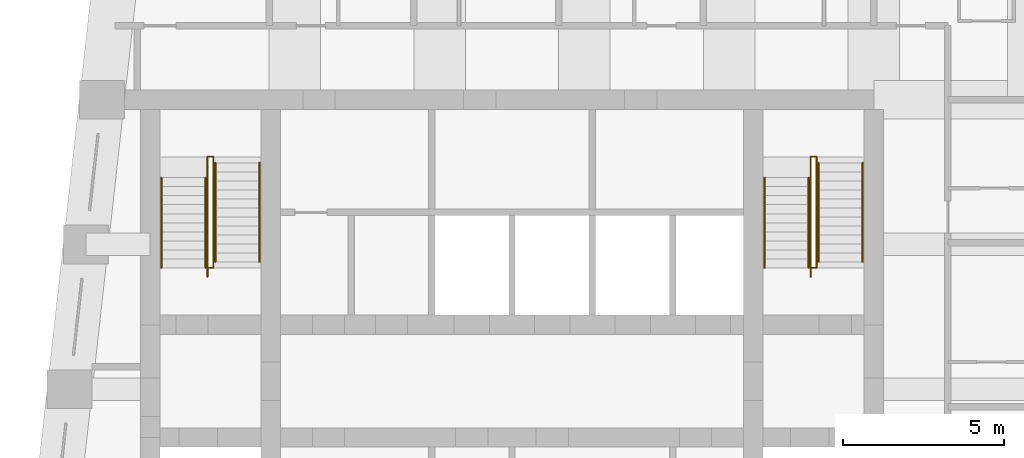
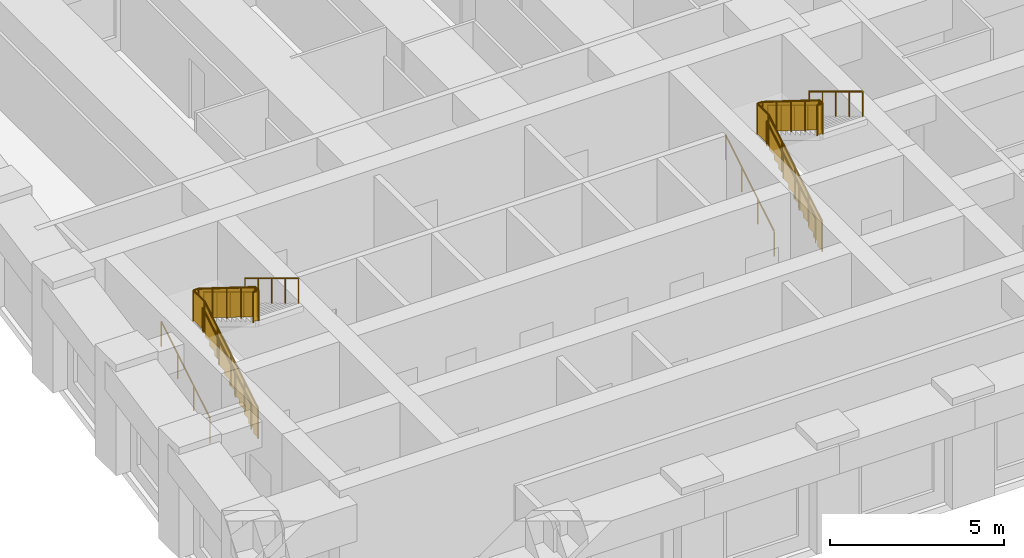
# One storey, part 7 of 7: 12 railings.
"""IFC4 building model written with IfcOpenShell, lengths in metres."""

from ifc_helpers import new_model, si_unit, direction, frame, origin, origin_2d, place, context, subcontext, project, spatial, polyline, circle, outline, extrude, material, type_object, element, save


model = new_model("IFC4")

# Units and contexts
model_context = context("Model", 3, precision=1e-05, world=origin(), true_north=direction((0.0, 1.0)))
body_context = subcontext(model_context, "Body", "Model", "MODEL_VIEW")
ifc_project = project(units=[si_unit("LENGTHUNIT", "METRE"), si_unit("AREAUNIT", "SQUARE_METRE"), si_unit("VOLUMEUNIT", "CUBIC_METRE"), si_unit("PLANEANGLEUNIT", "RADIAN"), si_unit("MASSUNIT", "GRAM", prefix="KILO")], contexts=[model_context])

# Site, building, storey
site_placement = place(None, origin())
site = spatial("IfcSite", under=ifc_project, at=site_placement, CompositionType="ELEMENT")
building_placement = place(site_placement, origin())
building = spatial("IfcBuilding", under=site, at=building_placement, Name="Kilele Tower Hotel", CompositionType="ELEMENT")
storey_placement = place(building_placement, frame((0.0, 0.0, 262.39990234375)))
storey = spatial("IfcBuildingStorey", under=building, at=storey_placement, Name="L67", CompositionType="ELEMENT", Elevation=262.39990234375)

# Railings
ifc_material_1 = material(Name="Steel handrail", Category="steel")
railing_type_1 = type_object("IfcRailingType", Name="Handrail 900", PredefinedType="HANDRAIL", material=ifc_material_1)
for number, where, name in (
    (1, (13.85009765625, 21.77490234375, 0.169677734375), "Handrail ST1 flight 1"),
    (2, (15.22509765625, 21.77490234375, 0.169677734375), "Handrail ST1 flight 1"),
):
    element("IfcRailing", number, at=place(storey_placement, frame(where)), inside=storey, type_object=railing_type_1, Name=name, PredefinedType="HANDRAIL", context=body_context, shape_type="SweptSolid", body=[
        extrude(circle(Radius=0.02490234375, at=origin_2d()), frame((0.0, 0.0, 0.875), z_axis=(0.0, 0.855393119324, 0.517979354234), x_axis=(-1.0, 0.0, 0.0)), (0.0, 0.0, 1.0), 3.2734375),
        extrude(circle(Radius=0.02001953125, at=origin_2d()), origin(), (0.0, 0.0, 1.0), 0.849853515625),
        extrude(circle(Radius=0.02001953125, at=origin_2d()), frame((0.0, 0.933349609375, 0.565185546875)), (0.0, 0.0, 1.0), 0.849853515625),
        extrude(circle(Radius=0.02001953125, at=origin_2d()), frame((0.0, 1.86669921875, 1.13037109375)), (0.0, 0.0, 1.0), 0.849853515625),
        extrude(circle(Radius=0.02001953125, at=origin_2d()), frame((0.0, 2.800048828125, 1.695556640625)), (0.0, 0.0, 1.0), 0.849853515625),
    ])
for number, where, name in (
    (3, (15.52490234375, 25.0400390625, 2.034912109375), "Handrail ST1 flight 2"),
    (4, (16.89990234375, 25.0400390625, 2.034912109375), "Handrail ST1 flight 2"),
):
    element("IfcRailing", number, at=place(storey_placement, frame(where)), inside=storey, type_object=railing_type_1, Name=name, PredefinedType="HANDRAIL", context=body_context, shape_type="SweptSolid", body=[
        extrude(circle(Radius=0.02490234375, at=origin_2d()), frame((0.0, 0.0, 0.875), z_axis=(0.0, -0.855379917629, 0.518001154937), x_axis=(1.0, 0.0, 0.0)), (0.0, 0.0, 1.0), 3.600830078125),
        extrude(circle(Radius=0.02001953125, at=origin_2d()), origin(), (0.0, 0.0, 1.0), 0.849853515625),
        extrude(circle(Radius=0.02001953125, at=origin_2d()), frame((0.0, -0.77001953125, 0.46630859375)), (0.0, 0.0, 1.0), 0.849853515625),
        extrude(circle(Radius=0.02001953125, at=origin_2d()), frame((0.0, -1.5400390625, 0.9326171875)), (0.0, 0.0, 1.0), 0.849853515625),
        extrude(circle(Radius=0.02001953125, at=origin_2d()), frame((0.0, -2.31005859375, 1.39892578125)), (0.0, 0.0, 1.0), 0.849853515625),
        extrude(circle(Radius=0.02001953125, at=origin_2d()), frame((0.0, -3.080078125, 1.865234375)), (0.0, 0.0, 1.0), 0.849853515625),
    ])
for number, where, name in (
    (5, (32.60009765625, 21.77490234375, 0.169677734375), "Handrail ST2 flight 1"),
    (6, (33.97509765625, 21.77490234375, 0.169677734375), "Handrail ST2 flight 1"),
):
    element("IfcRailing", number, at=place(storey_placement, frame(where)), inside=storey, type_object=railing_type_1, Name=name, PredefinedType="HANDRAIL", context=body_context, shape_type="SweptSolid", body=[
        extrude(circle(Radius=0.02490234375, at=origin_2d()), frame((0.0, 0.0, 0.875), z_axis=(0.0, 0.855393119324, 0.517979354234), x_axis=(-1.0, 0.0, 0.0)), (0.0, 0.0, 1.0), 3.2734375),
        extrude(circle(Radius=0.02001953125, at=origin_2d()), origin(), (0.0, 0.0, 1.0), 0.849853515625),
        extrude(circle(Radius=0.02001953125, at=origin_2d()), frame((0.0, 0.933349609375, 0.565185546875)), (0.0, 0.0, 1.0), 0.849853515625),
        extrude(circle(Radius=0.02001953125, at=origin_2d()), frame((0.0, 1.86669921875, 1.13037109375)), (0.0, 0.0, 1.0), 0.849853515625),
        extrude(circle(Radius=0.02001953125, at=origin_2d()), frame((0.0, 2.800048828125, 1.695556640625)), (0.0, 0.0, 1.0), 0.849853515625),
    ])
for number, where, name in (
    (7, (34.27490234375, 25.0400390625, 2.034912109375), "Handrail ST2 flight 2"),
    (8, (35.64990234375, 25.0400390625, 2.034912109375), "Handrail ST2 flight 2"),
):
    element("IfcRailing", number, at=place(storey_placement, frame(where)), inside=storey, type_object=railing_type_1, Name=name, PredefinedType="HANDRAIL", context=body_context, shape_type="SweptSolid", body=[
        extrude(circle(Radius=0.02490234375, at=origin_2d()), frame((0.0, 0.0, 0.875), z_axis=(0.0, -0.855379917629, 0.518001154937), x_axis=(1.0, 0.0, 0.0)), (0.0, 0.0, 1.0), 3.600830078125),
        extrude(circle(Radius=0.02001953125, at=origin_2d()), origin(), (0.0, 0.0, 1.0), 0.849853515625),
        extrude(circle(Radius=0.02001953125, at=origin_2d()), frame((0.0, -0.77001953125, 0.46630859375)), (0.0, 0.0, 1.0), 0.849853515625),
        extrude(circle(Radius=0.02001953125, at=origin_2d()), frame((0.0, -1.5400390625, 0.9326171875)), (0.0, 0.0, 1.0), 0.849853515625),
        extrude(circle(Radius=0.02001953125, at=origin_2d()), frame((0.0, -2.31005859375, 1.39892578125)), (0.0, 0.0, 1.0), 0.849853515625),
        extrude(circle(Radius=0.02001953125, at=origin_2d()), frame((0.0, -3.080078125, 1.865234375)), (0.0, 0.0, 1.0), 0.849853515625),
    ])
ifc_material_2 = material(Name="Steel guard", Category="steel")
railing_type_2 = type_object("IfcRailingType", Name="Stair guard 1100", PredefinedType="GUARDRAIL", material=ifc_material_2)
railing_1_placement = place(storey_placement, frame((15.284912109375, 21.4951171875, 0.0)))
element("IfcRailing", 9, at=railing_1_placement, inside=storey, type_object=railing_type_2, Name="Stair well guard ST1 flight 1", PredefinedType="GUARDRAIL", context=body_context, shape_type="SweptSolid", body=[
    extrude(circle(Radius=0.02490234375, at=origin_2d()), frame((0.0, 0.0, 1.0751953125), z_axis=(0.0, 0.855361723277, 0.518031198243), x_axis=(-1.0, 0.0, 0.0)), (0.0, 0.0, 1.0), 3.6005859375),
    extrude(circle(Radius=0.02490234375, at=origin_2d()), frame((0.0, 3.079833984375, 2.9404296875), z_axis=(0.0, 1.0, 0.0), x_axis=(-1.0, 0.0, 0.0)), (0.0, 0.0, 1.0), 0.650146484375),
    extrude(circle(Radius=0.02490234375, at=origin_2d()), frame((0.0, 3.72998046875, 2.9404296875), z_axis=(1.0, 0.0, 0.0), x_axis=(0.0, 1.0, 0.0)), (0.0, 0.0, 1.0), 0.18017578125),
    extrude(circle(Radius=0.02490234375, at=origin_2d()), origin(), (0.0, 0.0, 1.0), 1.050048828125),
    extrude(circle(Radius=0.02490234375, at=origin_2d()), frame((0.0, 0.77001953125, 0.46630859375)), (0.0, 0.0, 1.0), 1.050048828125),
    extrude(circle(Radius=0.02490234375, at=origin_2d()), frame((0.0, 1.5400390625, 0.9326171875)), (0.0, 0.0, 1.0), 1.050048828125),
    extrude(circle(Radius=0.02490234375, at=origin_2d()), frame((0.0, 2.309814453125, 1.39892578125)), (0.0, 0.0, 1.0), 1.050048828125),
    extrude(circle(Radius=0.02490234375, at=origin_2d()), frame((0.0, 3.079833984375, 1.865234375)), (0.0, 0.0, 1.0), 1.050048828125),
    extrude(circle(Radius=0.02490234375, at=origin_2d()), frame((0.0, 3.72998046875, 1.865234375)), (0.0, 0.0, 1.0), 1.050048828125),
    extrude(circle(Radius=0.02490234375, at=origin_2d()), frame((0.18017578125, 3.72998046875, 1.865234375)), (0.0, 0.0, 1.0), 1.050048828125),
    extrude(outline(polyline([(0.012451171875, 0.030029296875), (0.25, 0.030029296875), (0.25, 0.19970703125), (0.530029296875, 0.19970703125), (0.530029296875, 0.369140625), (0.809814453125, 0.369140625), (0.809814453125, 0.538818359375), (1.08984375, 0.538818359375), (1.08984375, 0.708251953125), (1.369873046875, 0.708251953125), (1.369873046875, 0.8779296875), (1.64990234375, 0.8779296875), (1.64990234375, 1.04736328125), (1.929931640625, 1.04736328125), (1.929931640625, 1.217041015625), (2.2099609375, 1.217041015625), (2.2099609375, 1.386474609375), (2.48974609375, 1.386474609375), (2.48974609375, 1.55615234375), (2.769775390625, 1.55615234375), (2.769775390625, 1.7255859375), (3.0498046875, 1.7255859375), (3.0498046875, 1.895263671875), (3.0673828125, 1.895263671875), (3.0673828125, 2.903564453125), (0.012451171875, 1.053466796875), (0.012451171875, 0.030029296875)])), frame((-0.005859375, 0.0, 0.0), z_axis=(1.0, 0.0, 0.0), x_axis=(0.0, 1.0, 0.0)), (0.0, 0.0, 1.0), 0.011962890625),
    extrude(outline(polyline([(0.012451171875, 0.030029296875), (0.6376953125, 0.030029296875), (0.6376953125, 1.050048828125), (0.012451171875, 1.050048828125), (0.012451171875, 0.030029296875)])), frame((-0.005859375, 3.079833984375, 1.865234375), z_axis=(1.0, 0.0, 0.0), x_axis=(0.0, 1.0, 0.0)), (0.0, 0.0, 1.0), 0.011962890625),
    extrude(outline(polyline([(0.012451171875, 0.030029296875), (0.18017578125, 0.030029296875), (0.18017578125, 1.050048828125), (0.012451171875, 1.050048828125), (0.012451171875, 0.030029296875)])), frame((0.0, 3.73583984375, 1.865234375), z_axis=(0.0, -1.0, 0.0), x_axis=(1.0, 0.0, 0.0)), (0.0, 0.0, 1.0), 0.011962890625),
])
railing_2_placement = place(storey_placement, frame((15.465087890625, 25.22509765625, 1.865234375)))
element("IfcRailing", 10, at=railing_2_placement, inside=storey, type_object=railing_type_2, Name="Stair well guard ST1 flight 2", PredefinedType="GUARDRAIL", context=body_context, shape_type="SweptSolid", body=[
    extrude(circle(Radius=0.02490234375, at=origin_2d()), frame((0.0, 0.0, 1.0751953125), z_axis=(0.0, -0.848674962302, 0.528914745834), x_axis=(1.0, 0.0, 0.0)), (0.0, 0.0, 1.0), 3.847412109375),
    extrude(circle(Radius=0.02490234375, at=origin_2d()), frame((0.0, -3.26513671875, 3.10986328125), z_axis=(0.0, -1.0, 0.0), x_axis=(1.0, 0.0, 0.0)), (0.0, 0.0, 1.0), 0.18505859375),
    extrude(circle(Radius=0.02490234375, at=origin_2d()), frame((0.0, -3.4501953125, 3.10986328125), z_axis=(-1.0, 0.0, 0.0), x_axis=(0.0, -1.0, 0.0)), (0.0, 0.0, 1.0), 0.18017578125),
    extrude(circle(Radius=0.02490234375, at=origin_2d()), origin(), (0.0, 0.0, 1.0), 1.050048828125),
    extrude(circle(Radius=0.02490234375, at=origin_2d()), frame((0.0, -0.81640625, 0.5087890625)), (0.0, 0.0, 1.0), 1.050048828125),
    extrude(circle(Radius=0.02490234375, at=origin_2d()), frame((0.0, -1.632568359375, 1.017578125)), (0.0, 0.0, 1.0), 1.050048828125),
    extrude(circle(Radius=0.02490234375, at=origin_2d()), frame((0.0, -2.44873046875, 1.526123046875)), (0.0, 0.0, 1.0), 1.050048828125),
    extrude(circle(Radius=0.02490234375, at=origin_2d()), frame((0.0, -3.26513671875, 2.034912109375)), (0.0, 0.0, 1.0), 1.050048828125),
    extrude(circle(Radius=0.02490234375, at=origin_2d()), frame((0.0, -3.4501953125, 2.034912109375)), (0.0, 0.0, 1.0), 1.050048828125),
    extrude(circle(Radius=0.02490234375, at=origin_2d()), frame((-0.18017578125, -3.4501953125, 2.034912109375)), (0.0, 0.0, 1.0), 1.050048828125),
    extrude(outline(polyline([(0.0, 0.030029296875), (3.252685546875, 2.05712890625), (3.252685546875, 3.07275390625), (0.0, 1.045654296875), (0.0, 0.030029296875)])), frame((0.005859375, 0.0, 0.0), z_axis=(-1.0, 0.0, 0.0), x_axis=(0.0, -1.0, 0.0)), (0.0, 0.0, 1.0), 0.011962890625),
    extrude(outline(polyline([(0.012451171875, 0.030029296875), (0.172607421875, 0.030029296875), (0.172607421875, 1.050048828125), (0.012451171875, 1.050048828125), (0.012451171875, 0.030029296875)])), frame((0.005859375, -3.26513671875, 2.034912109375), z_axis=(-1.0, 0.0, 0.0), x_axis=(0.0, -1.0, 0.0)), (0.0, 0.0, 1.0), 0.011962890625),
    extrude(outline(polyline([(0.012451171875, 0.030029296875), (0.18017578125, 0.030029296875), (0.18017578125, 1.050048828125), (0.012451171875, 1.050048828125), (0.012451171875, 0.030029296875)])), frame((0.0, -3.4560546875, 2.034912109375), z_axis=(0.0, 1.0, 0.0), x_axis=(-1.0, 0.0, 0.0)), (0.0, 0.0, 1.0), 0.011962890625),
])
railing_3_placement = place(storey_placement, frame((34.034912109375, 21.4951171875, 0.0)))
element("IfcRailing", 11, at=railing_3_placement, inside=storey, type_object=railing_type_2, Name="Stair well guard ST2 flight 1", PredefinedType="GUARDRAIL", context=body_context, shape_type="SweptSolid", body=[
    extrude(circle(Radius=0.02490234375, at=origin_2d()), frame((0.0, 0.0, 1.0751953125), z_axis=(0.0, 0.855361723277, 0.518031198243), x_axis=(-1.0, 0.0, 0.0)), (0.0, 0.0, 1.0), 3.6005859375),
    extrude(circle(Radius=0.02490234375, at=origin_2d()), frame((0.0, 3.079833984375, 2.9404296875), z_axis=(0.0, 1.0, 0.0), x_axis=(-1.0, 0.0, 0.0)), (0.0, 0.0, 1.0), 0.650146484375),
    extrude(circle(Radius=0.02490234375, at=origin_2d()), frame((0.0, 3.72998046875, 2.9404296875), z_axis=(1.0, 0.0, 0.0), x_axis=(0.0, 1.0, 0.0)), (0.0, 0.0, 1.0), 0.18017578125),
    extrude(circle(Radius=0.02490234375, at=origin_2d()), origin(), (0.0, 0.0, 1.0), 1.050048828125),
    extrude(circle(Radius=0.02490234375, at=origin_2d()), frame((0.0, 0.77001953125, 0.46630859375)), (0.0, 0.0, 1.0), 1.050048828125),
    extrude(circle(Radius=0.02490234375, at=origin_2d()), frame((0.0, 1.5400390625, 0.9326171875)), (0.0, 0.0, 1.0), 1.050048828125),
    extrude(circle(Radius=0.02490234375, at=origin_2d()), frame((0.0, 2.309814453125, 1.39892578125)), (0.0, 0.0, 1.0), 1.050048828125),
    extrude(circle(Radius=0.02490234375, at=origin_2d()), frame((0.0, 3.079833984375, 1.865234375)), (0.0, 0.0, 1.0), 1.050048828125),
    extrude(circle(Radius=0.02490234375, at=origin_2d()), frame((0.0, 3.72998046875, 1.865234375)), (0.0, 0.0, 1.0), 1.050048828125),
    extrude(circle(Radius=0.02490234375, at=origin_2d()), frame((0.18017578125, 3.72998046875, 1.865234375)), (0.0, 0.0, 1.0), 1.050048828125),
    extrude(outline(polyline([(0.012451171875, 0.030029296875), (0.25, 0.030029296875), (0.25, 0.19970703125), (0.530029296875, 0.19970703125), (0.530029296875, 0.369140625), (0.809814453125, 0.369140625), (0.809814453125, 0.538818359375), (1.08984375, 0.538818359375), (1.08984375, 0.708251953125), (1.369873046875, 0.708251953125), (1.369873046875, 0.8779296875), (1.64990234375, 0.8779296875), (1.64990234375, 1.04736328125), (1.929931640625, 1.04736328125), (1.929931640625, 1.217041015625), (2.2099609375, 1.217041015625), (2.2099609375, 1.386474609375), (2.48974609375, 1.386474609375), (2.48974609375, 1.55615234375), (2.769775390625, 1.55615234375), (2.769775390625, 1.7255859375), (3.0498046875, 1.7255859375), (3.0498046875, 1.895263671875), (3.0673828125, 1.895263671875), (3.0673828125, 2.903564453125), (0.012451171875, 1.053466796875), (0.012451171875, 0.030029296875)])), frame((-0.005859375, 0.0, 0.0), z_axis=(1.0, 0.0, 0.0), x_axis=(0.0, 1.0, 0.0)), (0.0, 0.0, 1.0), 0.011962890625),
    extrude(outline(polyline([(0.012451171875, 0.030029296875), (0.6376953125, 0.030029296875), (0.6376953125, 1.050048828125), (0.012451171875, 1.050048828125), (0.012451171875, 0.030029296875)])), frame((-0.005859375, 3.079833984375, 1.865234375), z_axis=(1.0, 0.0, 0.0), x_axis=(0.0, 1.0, 0.0)), (0.0, 0.0, 1.0), 0.011962890625),
    extrude(outline(polyline([(0.012451171875, 0.030029296875), (0.18017578125, 0.030029296875), (0.18017578125, 1.050048828125), (0.012451171875, 1.050048828125), (0.012451171875, 0.030029296875)])), frame((0.0, 3.73583984375, 1.865234375), z_axis=(0.0, -1.0, 0.0), x_axis=(1.0, 0.0, 0.0)), (0.0, 0.0, 1.0), 0.011962890625),
])
railing_4_placement = place(storey_placement, frame((34.215087890625, 25.22509765625, 1.865234375)))
element("IfcRailing", 12, at=railing_4_placement, inside=storey, type_object=railing_type_2, Name="Stair well guard ST2 flight 2", PredefinedType="GUARDRAIL", context=body_context, shape_type="SweptSolid", body=[
    extrude(circle(Radius=0.02490234375, at=origin_2d()), frame((0.0, 0.0, 1.0751953125), z_axis=(0.0, -0.848674962302, 0.528914745834), x_axis=(1.0, 0.0, 0.0)), (0.0, 0.0, 1.0), 3.847412109375),
    extrude(circle(Radius=0.02490234375, at=origin_2d()), frame((0.0, -3.26513671875, 3.10986328125), z_axis=(0.0, -1.0, 0.0), x_axis=(1.0, 0.0, 0.0)), (0.0, 0.0, 1.0), 0.18505859375),
    extrude(circle(Radius=0.02490234375, at=origin_2d()), frame((0.0, -3.4501953125, 3.10986328125), z_axis=(-1.0, 0.0, 0.0), x_axis=(0.0, -1.0, 0.0)), (0.0, 0.0, 1.0), 0.18017578125),
    extrude(circle(Radius=0.02490234375, at=origin_2d()), origin(), (0.0, 0.0, 1.0), 1.050048828125),
    extrude(circle(Radius=0.02490234375, at=origin_2d()), frame((0.0, -0.81640625, 0.5087890625)), (0.0, 0.0, 1.0), 1.050048828125),
    extrude(circle(Radius=0.02490234375, at=origin_2d()), frame((0.0, -1.632568359375, 1.017578125)), (0.0, 0.0, 1.0), 1.050048828125),
    extrude(circle(Radius=0.02490234375, at=origin_2d()), frame((0.0, -2.44873046875, 1.526123046875)), (0.0, 0.0, 1.0), 1.050048828125),
    extrude(circle(Radius=0.02490234375, at=origin_2d()), frame((0.0, -3.26513671875, 2.034912109375)), (0.0, 0.0, 1.0), 1.050048828125),
    extrude(circle(Radius=0.02490234375, at=origin_2d()), frame((0.0, -3.4501953125, 2.034912109375)), (0.0, 0.0, 1.0), 1.050048828125),
    extrude(circle(Radius=0.02490234375, at=origin_2d()), frame((-0.18017578125, -3.4501953125, 2.034912109375)), (0.0, 0.0, 1.0), 1.050048828125),
    extrude(outline(polyline([(0.0, 0.030029296875), (3.252685546875, 2.05712890625), (3.252685546875, 3.07275390625), (0.0, 1.045654296875), (0.0, 0.030029296875)])), frame((0.005859375, 0.0, 0.0), z_axis=(-1.0, 0.0, 0.0), x_axis=(0.0, -1.0, 0.0)), (0.0, 0.0, 1.0), 0.011962890625),
    extrude(outline(polyline([(0.012451171875, 0.030029296875), (0.172607421875, 0.030029296875), (0.172607421875, 1.050048828125), (0.012451171875, 1.050048828125), (0.012451171875, 0.030029296875)])), frame((0.005859375, -3.26513671875, 2.034912109375), z_axis=(-1.0, 0.0, 0.0), x_axis=(0.0, -1.0, 0.0)), (0.0, 0.0, 1.0), 0.011962890625),
    extrude(outline(polyline([(0.012451171875, 0.030029296875), (0.18017578125, 0.030029296875), (0.18017578125, 1.050048828125), (0.012451171875, 1.050048828125), (0.012451171875, 0.030029296875)])), frame((0.0, -3.4560546875, 2.034912109375), z_axis=(0.0, 1.0, 0.0), x_axis=(-1.0, 0.0, 0.0)), (0.0, 0.0, 1.0), 0.011962890625),
])

save(model, "model.ifc")
